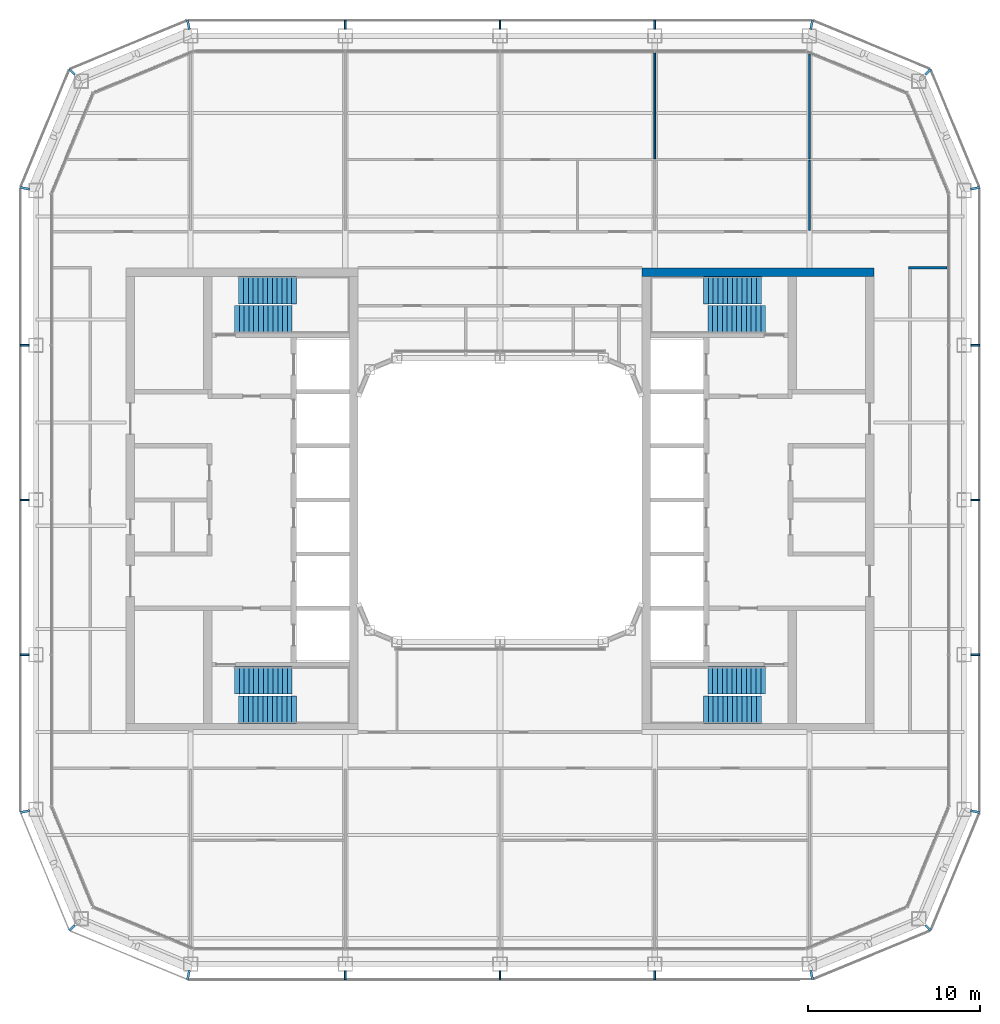
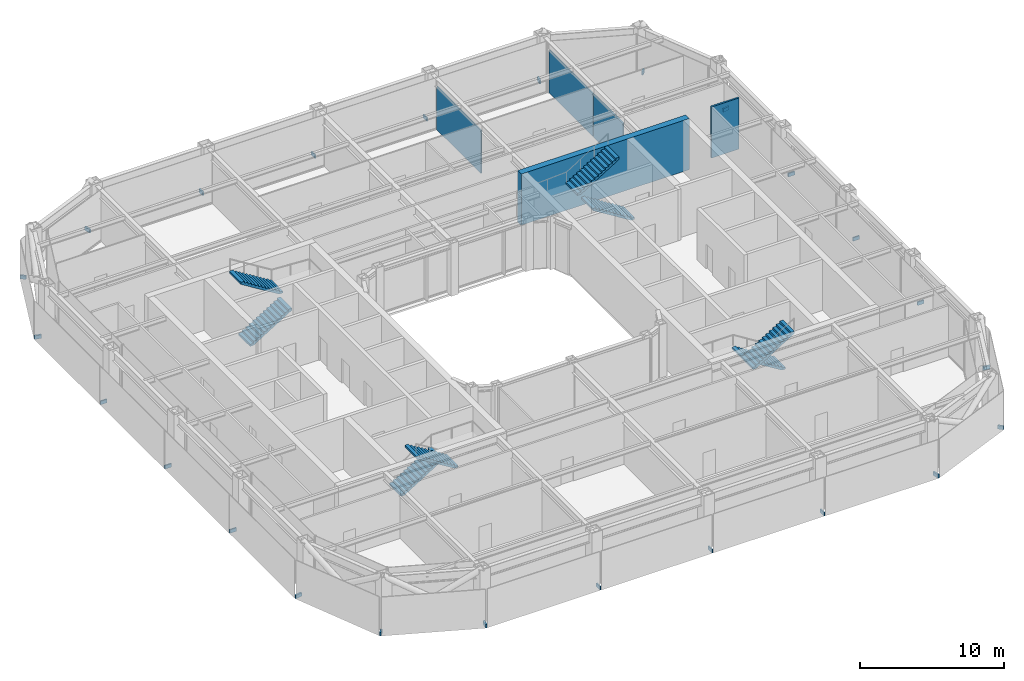
# One storey, part 15 of 19: 24 discrete accessories, 8 stair flights, 5 walls, 4 elements without a shape of their own.
"""IFC4 building model written with IfcOpenShell, lengths in metres."""

from ifc_helpers import new_model, si_unit, direction, frame, frame_2d, origin, origin_2d, place, context, subcontext, project, spatial, polyline, rectangle, outline, extrude, material, layer, layer_set, type_object, element, aggregate, save


model = new_model("IFC4")

# Units and contexts
model_context = context("Model", 3, precision=1e-05, world=origin(), true_north=direction((0.0, 1.0)))
body_context = subcontext(model_context, "Body", "Model", "MODEL_VIEW")
ifc_project = project(units=[si_unit("LENGTHUNIT", "METRE"), si_unit("AREAUNIT", "SQUARE_METRE"), si_unit("VOLUMEUNIT", "CUBIC_METRE"), si_unit("PLANEANGLEUNIT", "RADIAN"), si_unit("MASSUNIT", "GRAM", prefix="KILO")], contexts=[model_context])

# Site, building, storey
site_placement = place(None, origin())
site = spatial("IfcSite", under=ifc_project, at=site_placement, CompositionType="ELEMENT")
building_placement = place(site_placement, origin())
building = spatial("IfcBuilding", under=site, at=building_placement, Name="Siwar Civic Tower", CompositionType="ELEMENT")
storey_placement = place(building_placement, frame((0.0, 0.0, 192.699951171875)))
storey = spatial("IfcBuildingStorey", under=building, at=storey_placement, Name="L41", CompositionType="ELEMENT", Elevation=192.699951171875)

# Walls
ifc_material_1 = material(Name="Concrete C60/75", Category="concrete")
ifc_layer_1 = layer(ifc_material_1, 0.5)
ifc_layer_set_1 = layer_set([ifc_layer_1], Name="Concrete C60/75")
wall_type_1 = type_object("IfcWallType", Name="CORE-WALL-RC500", PredefinedType="SHEAR", material=ifc_layer_set_1)
wall_1_placement = place(storey_placement, frame((8.25, 13.25, 0.0), z_axis=(0.0, 0.0, 1.0), x_axis=(1.0, 0.0, 0.0)))
element("IfcWall", 1, at=wall_1_placement, inside=storey, type_object=wall_type_1, Name="Core wall E", PredefinedType="SHEAR", context=body_context, shape_type="SweptSolid", body=[
    extrude(rectangle(XDim=13.5, YDim=0.5, at=frame_2d((6.75, 0.0))), origin(), (0.0, 0.0, 1.0), 4.35009765625),
])
ifc_material_2 = material(Name="Gypsum board on steel studs", Category="steel")
ifc_layer_2 = layer(ifc_material_2, 0.14990234375)
ifc_layer_set_2 = layer_set([ifc_layer_2], Name="Gypsum board on steel studs")
wall_type_2 = type_object("IfcWallType", Name="CORRIDOR PARTITION 150 EI 30", PredefinedType="PARTITIONING", material=ifc_layer_set_2)
wall_2_placement = place(storey_placement, frame((23.77490234375, 13.5, 0.0), z_axis=(0.0, 0.0, 1.0), x_axis=(1.0, 0.0, 0.0)))
element("IfcWall", 2, at=wall_2_placement, inside=storey, type_object=wall_type_2, Name="L41/wall/P11", PredefinedType="PARTITIONING", context=body_context, shape_type="SweptSolid", body=[
    extrude(rectangle(XDim=2.235107421875, YDim=0.14990234375, at=frame_2d((1.11767578125, 0.0))), origin(), (0.0, 0.0, 1.0), 4.35009765625),
])
ifc_material_3 = material(Name="Gypsum board on steel studs", Category="steel")
ifc_layer_3 = layer(ifc_material_3, 0.10009765625)
ifc_layer_set_3 = layer_set([ifc_layer_3], Name="Gypsum board on steel studs")
wall_type_3 = type_object("IfcWallType", Name="PARTITION 100 GYPSUM", PredefinedType="PARTITIONING", material=ifc_layer_set_3)
wall_3_placement = place(storey_placement, frame((9.0, 19.85009765625, 0.0), z_axis=(0.0, 0.0, 1.0), x_axis=(0.0, 1.0, 0.0)))
element("IfcWall", 3, at=wall_3_placement, inside=storey, type_object=wall_type_3, Name="L41/wall/P31", PredefinedType="PARTITIONING", context=body_context, shape_type="SweptSolid", body=[
    extrude(rectangle(XDim=6.159912109375, YDim=0.10009765625, at=frame_2d((3.080078125, 0.0))), origin(), (0.0, 0.0, 1.0), 3.650146484375),
])
wall_4_placement = place(storey_placement, frame((18.0, 15.675048828125, 0.0), z_axis=(0.0, 0.0, 1.0), x_axis=(0.0, 1.0, 0.0)))
element("IfcWall", 4, at=wall_4_placement, inside=storey, type_object=wall_type_3, Name="L41/wall/P33", PredefinedType="PARTITIONING", context=body_context, shape_type="SweptSolid", body=[
    extrude(rectangle(XDim=4.074951171875, YDim=0.10009765625, at=frame_2d((2.03759765625, 0.0))), origin(), (0.0, 0.0, 1.0), 3.650146484375),
])
wall_5_placement = place(storey_placement, frame((18.0, 19.85009765625, 0.0), z_axis=(0.0, 0.0, 1.0), x_axis=(0.0, 1.0, 0.0)))
element("IfcWall", 5, at=wall_5_placement, inside=storey, type_object=wall_type_3, Name="L41/wall/P34", PredefinedType="PARTITIONING", context=body_context, shape_type="SweptSolid", body=[
    extrude(rectangle(XDim=6.077880859375, YDim=0.10009765625, at=frame_2d((3.0390625, 0.0))), origin(), (0.0, 0.0, 1.0), 3.650146484375),
])

# Stair, stair flights
ifc_material_4 = material(Name="Concrete C40/50", Category="concrete")
stair_type = type_object("IfcStairType", Name="CORE-STAIR", PredefinedType="TWO_STRAIGHT_RUN_STAIR", material=ifc_material_4)
stair_1_placement = place(storey_placement, origin())
stair_1 = element("IfcStair", 6, at=stair_1_placement, inside=storey, type_object=stair_type, Name="Exit stair ST1", PredefinedType="TWO_STRAIGHT_RUN_STAIR")
ifc_material_5 = material(Name="Concrete C40/50", Category="concrete")
stair_flight_type = type_object("IfcStairFlightType", Name="CORE-STAIR-FLIGHT", PredefinedType="STRAIGHT", material=ifc_material_5)
stair_flight_1_placement = place(storey_placement, frame((-15.449951171875, 10.5, 0.0), z_axis=(0.0, 0.0, 1.0), x_axis=(1.0, 0.0, 0.0)))
stair_flight_1 = element("IfcStairFlight", 7, at=stair_flight_1_placement, type_object=stair_flight_type, Name="ST1 flight 1", NumberOfRisers=13, NumberOfTreads=12, PredefinedType="STRAIGHT", RiserHeight=0.173076923, TreadLength=0.28, context=body_context, shape_type="SweptSolid", body=[
    extrude(outline(polyline([(0.0, 0.0), (0.0, 0.173095703125), (0.280029296875, 0.173095703125), (0.280029296875, 0.34619140625), (0.56005859375, 0.34619140625), (0.56005859375, 0.519287109375), (0.840087890625, 0.519287109375), (0.840087890625, 0.6923828125), (1.1201171875, 0.6923828125), (1.1201171875, 0.865478515625), (1.39990234375, 0.865478515625), (1.39990234375, 1.03857421875), (1.679931640625, 1.03857421875), (1.679931640625, 1.21142578125), (1.9599609375, 1.21142578125), (1.9599609375, 1.384521484375), (2.239990234375, 1.384521484375), (2.239990234375, 1.5576171875), (2.52001953125, 1.5576171875), (2.52001953125, 1.730712890625), (2.800048828125, 1.730712890625), (2.800048828125, 1.90380859375), (3.080078125, 1.90380859375), (3.080078125, 2.076904296875), (3.360107421875, 2.076904296875), (3.360107421875, 2.25), (3.360107421875, 1.900634765625), (0.28515625, 0.0), (0.0, 0.0)])), frame((0.0, 0.800048828125, 0.0), z_axis=(0.0, -1.0, 0.0), x_axis=(1.0, 0.0, 0.0)), (0.0, 0.0, 1.0), 1.60009765625),
])
stair_flight_2_placement = place(storey_placement, frame((-11.840087890625, 12.199951171875, 2.25), z_axis=(0.0, 0.0, 1.0), x_axis=(-1.0, 0.0, 0.0)))
stair_flight_2 = element("IfcStairFlight", 8, at=stair_flight_2_placement, type_object=stair_flight_type, Name="ST1 flight 2", NumberOfRisers=13, NumberOfTreads=12, PredefinedType="STRAIGHT", RiserHeight=0.173076923, TreadLength=0.28, context=body_context, shape_type="SweptSolid", body=[
    extrude(outline(polyline([(0.0, 0.0), (0.0, 0.173095703125), (0.280029296875, 0.173095703125), (0.280029296875, 0.34619140625), (0.56005859375, 0.34619140625), (0.56005859375, 0.519287109375), (0.840087890625, 0.519287109375), (0.840087890625, 0.6923828125), (1.1201171875, 0.6923828125), (1.1201171875, 0.865478515625), (1.39990234375, 0.865478515625), (1.39990234375, 1.03857421875), (1.679931640625, 1.03857421875), (1.679931640625, 1.21142578125), (1.9599609375, 1.21142578125), (1.9599609375, 1.384521484375), (2.239990234375, 1.384521484375), (2.239990234375, 1.5576171875), (2.52001953125, 1.5576171875), (2.52001953125, 1.730712890625), (2.800048828125, 1.730712890625), (2.800048828125, 1.90380859375), (3.080078125, 1.90380859375), (3.080078125, 2.076904296875), (3.360107421875, 2.076904296875), (3.360107421875, 2.25), (3.360107421875, 1.900634765625), (0.28515625, 0.0), (0.0, 0.0)])), frame((0.0, 0.800048828125, 0.0), z_axis=(0.0, -1.0, 0.0), x_axis=(1.0, 0.0, 0.0)), (0.0, 0.0, 1.0), 1.60009765625),
])
aggregate(stair_1, [stair_flight_1, stair_flight_2])

stair_2_placement = place(storey_placement, origin())
stair_2 = element("IfcStair", 9, at=stair_2_placement, inside=storey, type_object=stair_type, Name="Exit stair ST2", PredefinedType="TWO_STRAIGHT_RUN_STAIR")
stair_flight_3_placement = place(storey_placement, frame((-15.449951171875, -10.5, 0.0), z_axis=(0.0, 0.0, 1.0), x_axis=(1.0, 0.0, 0.0)))
stair_flight_3 = element("IfcStairFlight", 10, at=stair_flight_3_placement, type_object=stair_flight_type, Name="ST2 flight 1", NumberOfRisers=13, NumberOfTreads=12, PredefinedType="STRAIGHT", RiserHeight=0.173076923, TreadLength=0.28, context=body_context, shape_type="SweptSolid", body=[
    extrude(outline(polyline([(0.0, 0.0), (0.0, 0.173095703125), (0.280029296875, 0.173095703125), (0.280029296875, 0.34619140625), (0.56005859375, 0.34619140625), (0.56005859375, 0.519287109375), (0.840087890625, 0.519287109375), (0.840087890625, 0.6923828125), (1.1201171875, 0.6923828125), (1.1201171875, 0.865478515625), (1.39990234375, 0.865478515625), (1.39990234375, 1.03857421875), (1.679931640625, 1.03857421875), (1.679931640625, 1.21142578125), (1.9599609375, 1.21142578125), (1.9599609375, 1.384521484375), (2.239990234375, 1.384521484375), (2.239990234375, 1.5576171875), (2.52001953125, 1.5576171875), (2.52001953125, 1.730712890625), (2.800048828125, 1.730712890625), (2.800048828125, 1.90380859375), (3.080078125, 1.90380859375), (3.080078125, 2.076904296875), (3.360107421875, 2.076904296875), (3.360107421875, 2.25), (3.360107421875, 1.900634765625), (0.28515625, 0.0), (0.0, 0.0)])), frame((0.0, 0.800048828125, 0.0), z_axis=(0.0, -1.0, 0.0), x_axis=(1.0, 0.0, 0.0)), (0.0, 0.0, 1.0), 1.60009765625),
])
stair_flight_4_placement = place(storey_placement, frame((-11.840087890625, -12.199951171875, 2.25), z_axis=(0.0, 0.0, 1.0), x_axis=(-1.0, 0.0, 0.0)))
stair_flight_4 = element("IfcStairFlight", 11, at=stair_flight_4_placement, type_object=stair_flight_type, Name="ST2 flight 2", NumberOfRisers=13, NumberOfTreads=12, PredefinedType="STRAIGHT", RiserHeight=0.173076923, TreadLength=0.28, context=body_context, shape_type="SweptSolid", body=[
    extrude(outline(polyline([(0.0, 0.0), (0.0, 0.173095703125), (0.280029296875, 0.173095703125), (0.280029296875, 0.34619140625), (0.56005859375, 0.34619140625), (0.56005859375, 0.519287109375), (0.840087890625, 0.519287109375), (0.840087890625, 0.6923828125), (1.1201171875, 0.6923828125), (1.1201171875, 0.865478515625), (1.39990234375, 0.865478515625), (1.39990234375, 1.03857421875), (1.679931640625, 1.03857421875), (1.679931640625, 1.21142578125), (1.9599609375, 1.21142578125), (1.9599609375, 1.384521484375), (2.239990234375, 1.384521484375), (2.239990234375, 1.5576171875), (2.52001953125, 1.5576171875), (2.52001953125, 1.730712890625), (2.800048828125, 1.730712890625), (2.800048828125, 1.90380859375), (3.080078125, 1.90380859375), (3.080078125, 2.076904296875), (3.360107421875, 2.076904296875), (3.360107421875, 2.25), (3.360107421875, 1.900634765625), (0.28515625, 0.0), (0.0, 0.0)])), frame((0.0, 0.800048828125, 0.0), z_axis=(0.0, -1.0, 0.0), x_axis=(1.0, 0.0, 0.0)), (0.0, 0.0, 1.0), 1.60009765625),
])
aggregate(stair_2, [stair_flight_3, stair_flight_4])

stair_3_placement = place(storey_placement, origin())
stair_3 = element("IfcStair", 12, at=stair_3_placement, inside=storey, type_object=stair_type, Name="Exit stair ST3", PredefinedType="TWO_STRAIGHT_RUN_STAIR")
stair_flight_5_placement = place(storey_placement, frame((15.449951171875, 10.5, 0.0), z_axis=(0.0, 0.0, 1.0), x_axis=(-1.0, 0.0, 0.0)))
stair_flight_5 = element("IfcStairFlight", 13, at=stair_flight_5_placement, type_object=stair_flight_type, Name="ST3 flight 1", NumberOfRisers=13, NumberOfTreads=12, PredefinedType="STRAIGHT", RiserHeight=0.173076923, TreadLength=0.28, context=body_context, shape_type="SweptSolid", body=[
    extrude(outline(polyline([(0.0, 0.0), (0.0, 0.173095703125), (0.280029296875, 0.173095703125), (0.280029296875, 0.34619140625), (0.56005859375, 0.34619140625), (0.56005859375, 0.519287109375), (0.840087890625, 0.519287109375), (0.840087890625, 0.6923828125), (1.1201171875, 0.6923828125), (1.1201171875, 0.865478515625), (1.39990234375, 0.865478515625), (1.39990234375, 1.03857421875), (1.679931640625, 1.03857421875), (1.679931640625, 1.21142578125), (1.9599609375, 1.21142578125), (1.9599609375, 1.384521484375), (2.239990234375, 1.384521484375), (2.239990234375, 1.5576171875), (2.52001953125, 1.5576171875), (2.52001953125, 1.730712890625), (2.800048828125, 1.730712890625), (2.800048828125, 1.90380859375), (3.080078125, 1.90380859375), (3.080078125, 2.076904296875), (3.360107421875, 2.076904296875), (3.360107421875, 2.25), (3.360107421875, 1.900634765625), (0.28515625, 0.0), (0.0, 0.0)])), frame((0.0, 0.800048828125, 0.0), z_axis=(0.0, -1.0, 0.0), x_axis=(1.0, 0.0, 0.0)), (0.0, 0.0, 1.0), 1.60009765625),
])
stair_flight_6_placement = place(storey_placement, frame((11.840087890625, 12.199951171875, 2.25), z_axis=(0.0, 0.0, 1.0), x_axis=(1.0, 0.0, 0.0)))
stair_flight_6 = element("IfcStairFlight", 14, at=stair_flight_6_placement, type_object=stair_flight_type, Name="ST3 flight 2", NumberOfRisers=13, NumberOfTreads=12, PredefinedType="STRAIGHT", RiserHeight=0.173076923, TreadLength=0.28, context=body_context, shape_type="SweptSolid", body=[
    extrude(outline(polyline([(0.0, 0.0), (0.0, 0.173095703125), (0.280029296875, 0.173095703125), (0.280029296875, 0.34619140625), (0.56005859375, 0.34619140625), (0.56005859375, 0.519287109375), (0.840087890625, 0.519287109375), (0.840087890625, 0.6923828125), (1.1201171875, 0.6923828125), (1.1201171875, 0.865478515625), (1.39990234375, 0.865478515625), (1.39990234375, 1.03857421875), (1.679931640625, 1.03857421875), (1.679931640625, 1.21142578125), (1.9599609375, 1.21142578125), (1.9599609375, 1.384521484375), (2.239990234375, 1.384521484375), (2.239990234375, 1.5576171875), (2.52001953125, 1.5576171875), (2.52001953125, 1.730712890625), (2.800048828125, 1.730712890625), (2.800048828125, 1.90380859375), (3.080078125, 1.90380859375), (3.080078125, 2.076904296875), (3.360107421875, 2.076904296875), (3.360107421875, 2.25), (3.360107421875, 1.900634765625), (0.28515625, 0.0), (0.0, 0.0)])), frame((0.0, 0.800048828125, 0.0), z_axis=(0.0, -1.0, 0.0), x_axis=(1.0, 0.0, 0.0)), (0.0, 0.0, 1.0), 1.60009765625),
])
aggregate(stair_3, [stair_flight_5, stair_flight_6])

stair_4_placement = place(storey_placement, origin())
stair_4 = element("IfcStair", 15, at=stair_4_placement, inside=storey, type_object=stair_type, Name="Exit stair ST4", PredefinedType="TWO_STRAIGHT_RUN_STAIR")
stair_flight_7_placement = place(storey_placement, frame((15.449951171875, -10.5, 0.0), z_axis=(0.0, 0.0, 1.0), x_axis=(-1.0, 0.0, 0.0)))
stair_flight_7 = element("IfcStairFlight", 16, at=stair_flight_7_placement, type_object=stair_flight_type, Name="ST4 flight 1", NumberOfRisers=13, NumberOfTreads=12, PredefinedType="STRAIGHT", RiserHeight=0.173076923, TreadLength=0.28, context=body_context, shape_type="SweptSolid", body=[
    extrude(outline(polyline([(0.0, 0.0), (0.0, 0.173095703125), (0.280029296875, 0.173095703125), (0.280029296875, 0.34619140625), (0.56005859375, 0.34619140625), (0.56005859375, 0.519287109375), (0.840087890625, 0.519287109375), (0.840087890625, 0.6923828125), (1.1201171875, 0.6923828125), (1.1201171875, 0.865478515625), (1.39990234375, 0.865478515625), (1.39990234375, 1.03857421875), (1.679931640625, 1.03857421875), (1.679931640625, 1.21142578125), (1.9599609375, 1.21142578125), (1.9599609375, 1.384521484375), (2.239990234375, 1.384521484375), (2.239990234375, 1.5576171875), (2.52001953125, 1.5576171875), (2.52001953125, 1.730712890625), (2.800048828125, 1.730712890625), (2.800048828125, 1.90380859375), (3.080078125, 1.90380859375), (3.080078125, 2.076904296875), (3.360107421875, 2.076904296875), (3.360107421875, 2.25), (3.360107421875, 1.900634765625), (0.28515625, 0.0), (0.0, 0.0)])), frame((0.0, 0.800048828125, 0.0), z_axis=(0.0, -1.0, 0.0), x_axis=(1.0, 0.0, 0.0)), (0.0, 0.0, 1.0), 1.60009765625),
])
stair_flight_8_placement = place(storey_placement, frame((11.840087890625, -12.199951171875, 2.25), z_axis=(0.0, 0.0, 1.0), x_axis=(1.0, 0.0, 0.0)))
stair_flight_8 = element("IfcStairFlight", 17, at=stair_flight_8_placement, type_object=stair_flight_type, Name="ST4 flight 2", NumberOfRisers=13, NumberOfTreads=12, PredefinedType="STRAIGHT", RiserHeight=0.173076923, TreadLength=0.28, context=body_context, shape_type="SweptSolid", body=[
    extrude(outline(polyline([(0.0, 0.0), (0.0, 0.173095703125), (0.280029296875, 0.173095703125), (0.280029296875, 0.34619140625), (0.56005859375, 0.34619140625), (0.56005859375, 0.519287109375), (0.840087890625, 0.519287109375), (0.840087890625, 0.6923828125), (1.1201171875, 0.6923828125), (1.1201171875, 0.865478515625), (1.39990234375, 0.865478515625), (1.39990234375, 1.03857421875), (1.679931640625, 1.03857421875), (1.679931640625, 1.21142578125), (1.9599609375, 1.21142578125), (1.9599609375, 1.384521484375), (2.239990234375, 1.384521484375), (2.239990234375, 1.5576171875), (2.52001953125, 1.5576171875), (2.52001953125, 1.730712890625), (2.800048828125, 1.730712890625), (2.800048828125, 1.90380859375), (3.080078125, 1.90380859375), (3.080078125, 2.076904296875), (3.360107421875, 2.076904296875), (3.360107421875, 2.25), (3.360107421875, 1.900634765625), (0.28515625, 0.0), (0.0, 0.0)])), frame((0.0, 0.800048828125, 0.0), z_axis=(0.0, -1.0, 0.0), x_axis=(1.0, 0.0, 0.0)), (0.0, 0.0, 1.0), 1.60009765625),
])
aggregate(stair_4, [stair_flight_7, stair_flight_8])

# Discrete accessories
ifc_material_6 = material(Name="Stainless steel 316", Category="steel")
discrete_accessory_type = type_object("IfcDiscreteAccessoryType", Name="ENV-BRACKET", PredefinedType="BRACKET", material=ifc_material_6)
for number, where, z_axis, x_axis, name in (
    (18, (27.639892578125, -9.0, -0.14990234375), (0.0, 0.0, 1.0), (1.0, 0.0, 0.0), "Bracket outer skin joint E-01"),
    (19, (27.639892578125, 0.0, -0.14990234375), (0.0, 0.0, 1.0), (1.0, 0.0, 0.0), "Bracket outer skin joint E-02"),
    (20, (27.639892578125, 9.0, -0.14990234375), (0.0, 0.0, 1.0), (1.0, 0.0, 0.0), "Bracket outer skin joint E-03"),
    (21, (9.0, 27.639892578125, -0.14990234375), (0.0, 0.0, 1.0), (0.0, 1.0, 0.0), "Bracket outer skin joint N-01"),
    (22, (0.0, 27.639892578125, -0.14990234375), (0.0, 0.0, 1.0), (0.0, 1.0, 0.0), "Bracket outer skin joint N-02"),
    (23, (-9.0, 27.639892578125, -0.14990234375), (0.0, 0.0, 1.0), (0.0, 1.0, 0.0), "Bracket outer skin joint N-03"),
    (24, (-9.0, -27.639892578125, -0.14990234375), (0.0, 0.0, 1.0), (0.0, -1.0, 0.0), "Bracket outer skin joint S-01"),
    (25, (0.0, -27.639892578125, -0.14990234375), (0.0, 0.0, 1.0), (0.0, -1.0, 0.0), "Bracket outer skin joint S-02"),
    (26, (9.0, -27.639892578125, -0.14990234375), (0.0, 0.0, 1.0), (0.0, -1.0, 0.0), "Bracket outer skin joint S-03"),
):
    element("IfcDiscreteAccessory", number, at=place(storey_placement, frame(where, z_axis=z_axis, x_axis=x_axis)), inside=storey, type_object=discrete_accessory_type, Name=name, PredefinedType="BRACKET", context=body_context, shape_type="SweptSolid", body=[
        extrude(rectangle(XDim=0.52001953125, YDim=0.10009765625, at=origin_2d()), origin(), (0.0, 0.0, 1.0), 0.300048828125),
    ])
for number, where, z_axis, x_axis, name in (
    (27, (-18.12744140625, -27.64013671875, -0.14990234375), (0.0, 0.0, 1.0), (-0.195090322016, -0.980785280403, 0.0), "Bracket outer skin joint V00"),
    (28, (18.12744140625, -27.64013671875, -0.14990234375), (0.0, 0.0, 1.0), (0.195090322016, -0.980785280403, 0.0), "Bracket outer skin joint V01"),
):
    element("IfcDiscreteAccessory", number, at=place(storey_placement, frame(where, z_axis=z_axis, x_axis=x_axis)), inside=storey, type_object=discrete_accessory_type, Name=name, PredefinedType="BRACKET", context=body_context, shape_type="SweptSolid", body=[
        extrude(rectangle(XDim=0.52978515625, YDim=0.13720703125, at=origin_2d()), origin(), (0.0, 0.0, 1.0), 0.300048828125),
    ])
discrete_accessory_1_placement = place(storey_placement, frame((24.9013671875, -24.9013671875, -0.14990234375), z_axis=(0.0, 0.0, 1.0), x_axis=(0.707106781187, -0.707106781187, 0.0)))
element("IfcDiscreteAccessory", 29, at=discrete_accessory_1_placement, inside=storey, type_object=discrete_accessory_type, Name="Bracket outer skin joint V02", PredefinedType="BRACKET", context=body_context, shape_type="SweptSolid", body=[
    extrude(rectangle(XDim=0.428466796875, YDim=0.12939453125, at=origin_2d()), origin(), (0.0, 0.0, 1.0), 0.300048828125),
])
for number, where, z_axis, x_axis, name in (
    (30, (27.64013671875, -18.12744140625, -0.14990234375), (0.0, 0.0, 1.0), (0.980785280403, -0.195090322016, 0.0), "Bracket outer skin joint V03"),
    (31, (27.64013671875, 18.12744140625, -0.14990234375), (0.0, 0.0, 1.0), (0.980785280403, 0.195090322016, 0.0), "Bracket outer skin joint V04"),
):
    element("IfcDiscreteAccessory", number, at=place(storey_placement, frame(where, z_axis=z_axis, x_axis=x_axis)), inside=storey, type_object=discrete_accessory_type, Name=name, PredefinedType="BRACKET", context=body_context, shape_type="SweptSolid", body=[
        extrude(rectangle(XDim=0.52978515625, YDim=0.13720703125, at=origin_2d()), origin(), (0.0, 0.0, 1.0), 0.300048828125),
    ])
discrete_accessory_2_placement = place(storey_placement, frame((24.9013671875, 24.9013671875, -0.14990234375), z_axis=(0.0, 0.0, 1.0), x_axis=(0.707106781187, 0.707106781187, 0.0)))
element("IfcDiscreteAccessory", 32, at=discrete_accessory_2_placement, inside=storey, type_object=discrete_accessory_type, Name="Bracket outer skin joint V05", PredefinedType="BRACKET", context=body_context, shape_type="SweptSolid", body=[
    extrude(rectangle(XDim=0.428466796875, YDim=0.12939453125, at=origin_2d()), origin(), (0.0, 0.0, 1.0), 0.300048828125),
])
for number, where, z_axis, x_axis, name in (
    (33, (18.12744140625, 27.64013671875, -0.14990234375), (0.0, 0.0, 1.0), (0.195090322016, 0.980785280403, 0.0), "Bracket outer skin joint V06"),
    (34, (-18.12744140625, 27.64013671875, -0.14990234375), (0.0, 0.0, 1.0), (-0.195090322016, 0.980785280403, 0.0), "Bracket outer skin joint V07"),
):
    element("IfcDiscreteAccessory", number, at=place(storey_placement, frame(where, z_axis=z_axis, x_axis=x_axis)), inside=storey, type_object=discrete_accessory_type, Name=name, PredefinedType="BRACKET", context=body_context, shape_type="SweptSolid", body=[
        extrude(rectangle(XDim=0.52978515625, YDim=0.13720703125, at=origin_2d()), origin(), (0.0, 0.0, 1.0), 0.300048828125),
    ])
discrete_accessory_3_placement = place(storey_placement, frame((-24.9013671875, 24.9013671875, -0.14990234375), z_axis=(0.0, 0.0, 1.0), x_axis=(-0.707106781187, 0.707106781187, 0.0)))
element("IfcDiscreteAccessory", 35, at=discrete_accessory_3_placement, inside=storey, type_object=discrete_accessory_type, Name="Bracket outer skin joint V08", PredefinedType="BRACKET", context=body_context, shape_type="SweptSolid", body=[
    extrude(rectangle(XDim=0.428466796875, YDim=0.12939453125, at=origin_2d()), origin(), (0.0, 0.0, 1.0), 0.300048828125),
])
for number, where, z_axis, x_axis, name in (
    (36, (-27.64013671875, 18.12744140625, -0.14990234375), (0.0, 0.0, 1.0), (-0.980785280403, 0.195090322016, 0.0), "Bracket outer skin joint V09"),
    (37, (-27.64013671875, -18.12744140625, -0.14990234375), (0.0, 0.0, 1.0), (-0.980785280403, -0.195090322016, 0.0), "Bracket outer skin joint V10"),
):
    element("IfcDiscreteAccessory", number, at=place(storey_placement, frame(where, z_axis=z_axis, x_axis=x_axis)), inside=storey, type_object=discrete_accessory_type, Name=name, PredefinedType="BRACKET", context=body_context, shape_type="SweptSolid", body=[
        extrude(rectangle(XDim=0.52978515625, YDim=0.13720703125, at=origin_2d()), origin(), (0.0, 0.0, 1.0), 0.300048828125),
    ])
discrete_accessory_4_placement = place(storey_placement, frame((-24.9013671875, -24.9013671875, -0.14990234375), z_axis=(0.0, 0.0, 1.0), x_axis=(-0.707106781187, -0.707106781187, 0.0)))
element("IfcDiscreteAccessory", 38, at=discrete_accessory_4_placement, inside=storey, type_object=discrete_accessory_type, Name="Bracket outer skin joint V11", PredefinedType="BRACKET", context=body_context, shape_type="SweptSolid", body=[
    extrude(rectangle(XDim=0.428466796875, YDim=0.12939453125, at=origin_2d()), origin(), (0.0, 0.0, 1.0), 0.300048828125),
])
for number, where, z_axis, x_axis, name in (
    (39, (-27.639892578125, 9.0, -0.14990234375), (0.0, 0.0, 1.0), (-1.0, 0.0, 0.0), "Bracket outer skin joint W-01"),
    (40, (-27.639892578125, 0.0, -0.14990234375), (0.0, 0.0, 1.0), (-1.0, 0.0, 0.0), "Bracket outer skin joint W-02"),
    (41, (-27.639892578125, -9.0, -0.14990234375), (0.0, 0.0, 1.0), (-1.0, 0.0, 0.0), "Bracket outer skin joint W-03"),
):
    element("IfcDiscreteAccessory", number, at=place(storey_placement, frame(where, z_axis=z_axis, x_axis=x_axis)), inside=storey, type_object=discrete_accessory_type, Name=name, PredefinedType="BRACKET", context=body_context, shape_type="SweptSolid", body=[
        extrude(rectangle(XDim=0.52001953125, YDim=0.10009765625, at=origin_2d()), origin(), (0.0, 0.0, 1.0), 0.300048828125),
    ])

save(model, "model.ifc")
